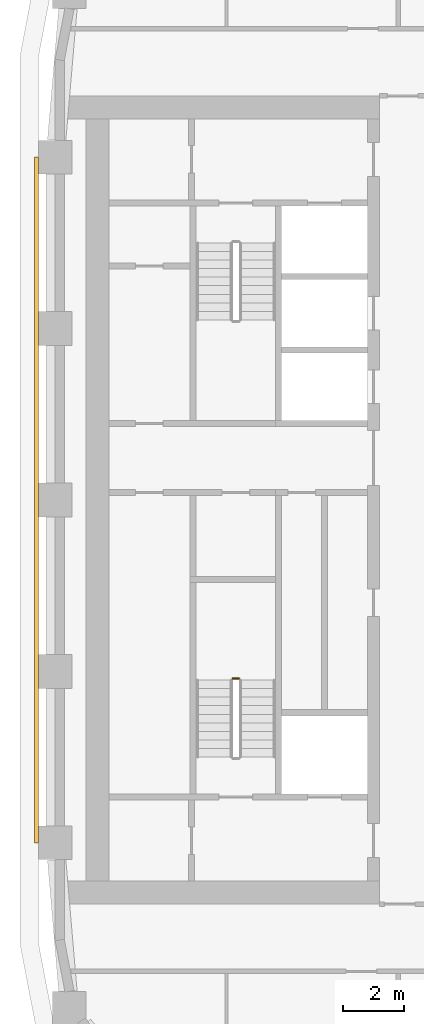
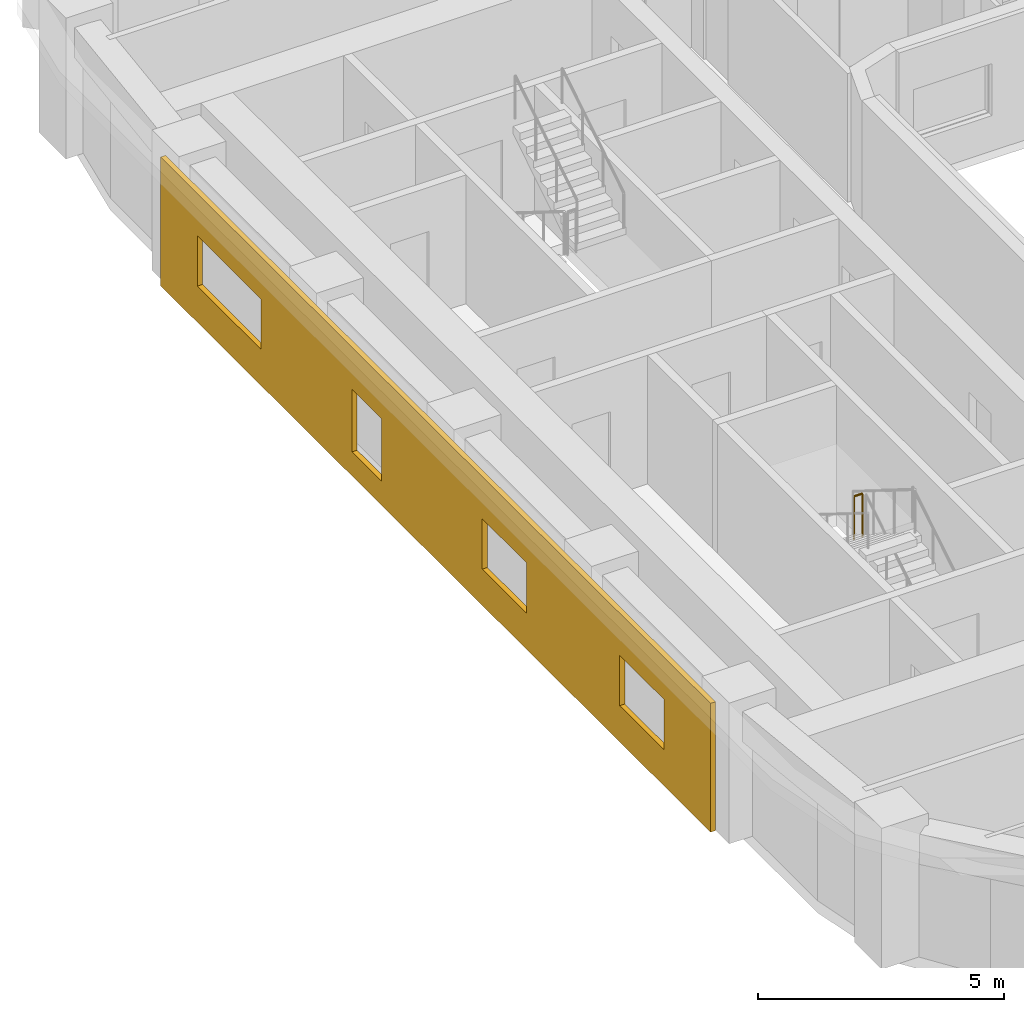
# One storey, part 13 of 22: 1 covering, 1 railing.
"""IFC4 building model written with IfcOpenShell, lengths in metres."""

from ifc_helpers import new_model, si_unit, direction, frame, origin, origin_2d, place, context, subcontext, project, spatial, polyline, circle, outline, extrude, material, layer, layer_set, type_object, element, save


model = new_model("IFC4")

# Units and contexts
model_context = context("Model", 3, precision=1e-05, world=origin(), true_north=direction((0.0, 1.0)))
body_context = subcontext(model_context, "Body", "Model", "MODEL_VIEW")
ifc_project = project(units=[si_unit("LENGTHUNIT", "METRE"), si_unit("AREAUNIT", "SQUARE_METRE"), si_unit("VOLUMEUNIT", "CUBIC_METRE"), si_unit("PLANEANGLEUNIT", "RADIAN"), si_unit("MASSUNIT", "GRAM", prefix="KILO")], contexts=[model_context])

# Site, building, storey
site_placement = place(None, origin())
site = spatial("IfcSite", under=ifc_project, at=site_placement, CompositionType="ELEMENT")
building_placement = place(site_placement, origin())
building = spatial("IfcBuilding", under=site, at=building_placement, Name="Kiln Ring Residences", CompositionType="ELEMENT")
storey_placement = place(building_placement, frame((0.0, 0.0, 139.60009765625)))
storey = spatial("IfcBuildingStorey", under=building, at=storey_placement, Name="L35", CompositionType="ELEMENT", Elevation=139.60009765625)

# Railing
ifc_material_1 = material(Name="Stainless steel", Category="steel")
railing_type = type_object("IfcRailingType", Name="CORE-STAIR-GUARD", PredefinedType="GUARDRAIL", material=ifc_material_1)
railing_placement = place(storey_placement, frame((-22.0, -5.830078125, 1.75)))
element("IfcRailing", 1, at=railing_placement, inside=storey, type_object=railing_type, Name="L35 W-STS stair guard 2", PredefinedType="GUARDRAIL", context=body_context, shape_type="SweptSolid", body=[
    extrude(circle(Radius=0.02392578125, at=origin_2d()), frame((0.0, 0.0, 1.076171875), z_axis=(-1.0, 0.0, 0.0), x_axis=(0.0, -1.0, 0.0)), (0.0, 0.0, 1.0), 0.199951171875),
    extrude(circle(Radius=0.02099609375, at=origin_2d()), origin(), (0.0, 0.0, 1.0), 1.052001953125),
    extrude(circle(Radius=0.02099609375, at=origin_2d()), frame((-0.199951171875, 0.0, 0.0)), (0.0, 0.0, 1.0), 1.052001953125),
])

# Covering
ifc_material_2 = material(Name="Brick masonry, dark clay brick", Category="masonry")
ifc_layer = layer(ifc_material_2, 0.1201171875)
ifc_layer_set = layer_set([ifc_layer], Name="RAINSCREEN PANEL 120")
covering_type = type_object("IfcCoveringType", Name="RAINSCREEN PANEL 120", PredefinedType="CLADDING", material=ifc_layer_set)
covering_placement = place(storey_placement, frame((-28.610107421875, 11.199951171875, 0.0), z_axis=(0.0, 0.0, 1.0), x_axis=(0.0, -1.0, 0.0)))
element("IfcCovering", 2, at=covering_placement, inside=storey, type_object=covering_type, Name="RAINSCREEN L35", PredefinedType="CLADDING", context=body_context, shape_type="SweptSolid", body=[
    extrude(outline(polyline([(0.0, 0.0), (22.39990234375, 0.0), (22.39990234375, 3.199951171875), (0.0, 3.199951171875), (0.0, 0.0)]), holes=[polyline([(9.0, 0.599853515625), (9.0, 2.14990234375), (7.800048828125, 2.14990234375), (7.800048828125, 0.599853515625), (9.0, 0.599853515625)]), polyline([(4.10009765625, 0.89990234375), (4.10009765625, 2.14990234375), (1.5, 2.14990234375), (1.5, 0.89990234375), (4.10009765625, 0.89990234375)]), polyline([(14.89990234375, 0.89990234375), (14.89990234375, 2.14990234375), (13.10009765625, 2.14990234375), (13.10009765625, 0.89990234375), (14.89990234375, 0.89990234375)]), polyline([(20.5, 0.89990234375), (20.5, 2.14990234375), (18.699951171875, 2.14990234375), (18.699951171875, 0.89990234375), (20.5, 0.89990234375)])]), frame((0.0, 0.06005859375, 0.0), z_axis=(0.0, -1.0, 0.0), x_axis=(1.0, 0.0, 0.0)), (0.0, 0.0, 1.0), 0.1201171875),
])

save(model, "model.ifc")
